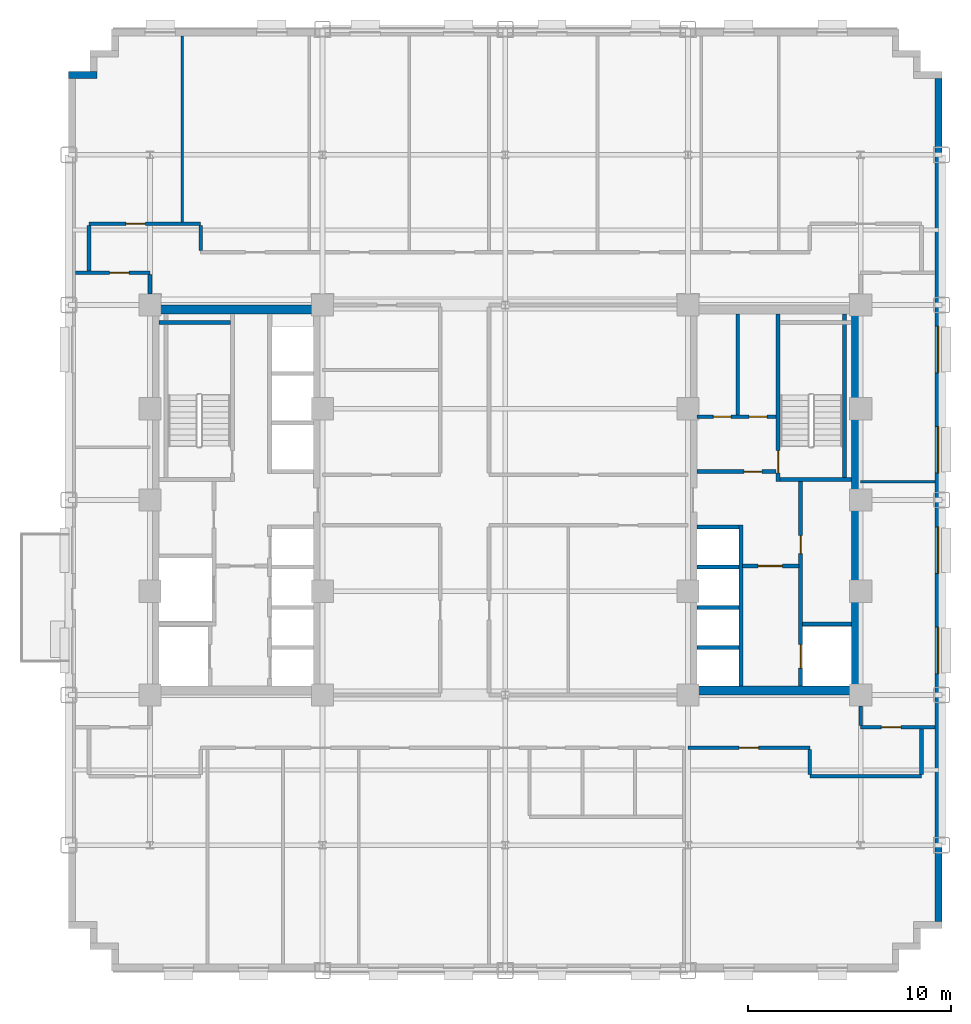
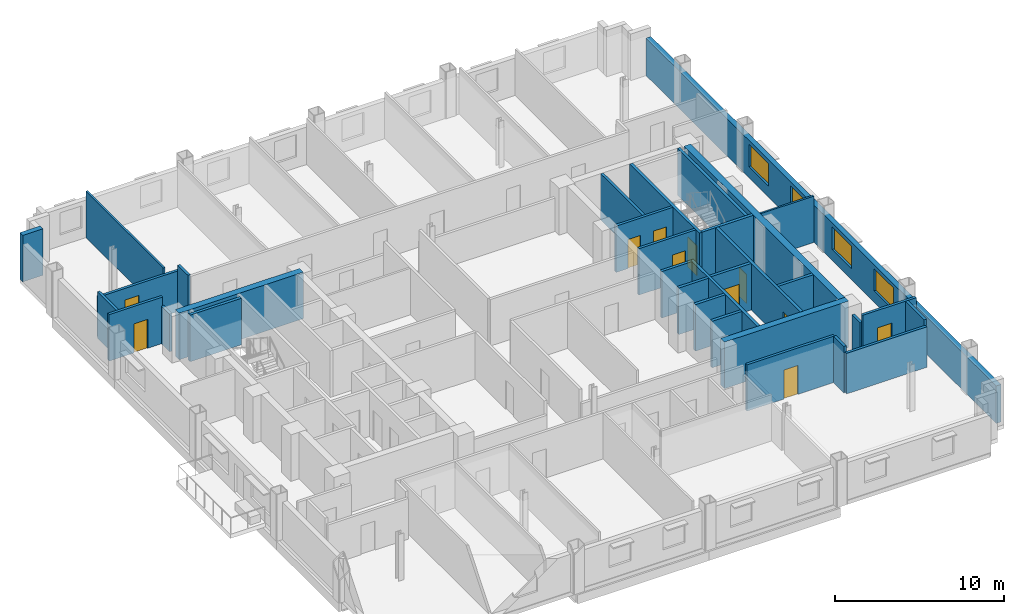
# One storey, part 8 of 14: 33 walls, 11 doors, 4 windows, 15 openings.
"""IFC4 building model written with IfcOpenShell, lengths in metres."""

from ifc_helpers import new_model, si_unit, direction, frame, frame_2d, origin, place, context, subcontext, project, spatial, rectangle, extrude, source, transform, mapped, material, layer, layer_set, type_object, type_shapes, element, fill, save


model = new_model("IFC4")

# Units and contexts
model_context = context("Model", 3, precision=1e-05, world=origin(), true_north=direction((0.0, 1.0)))
body_context = subcontext(model_context, "Body", "Model", "MODEL_VIEW")
ifc_project = project(units=[si_unit("LENGTHUNIT", "METRE"), si_unit("AREAUNIT", "SQUARE_METRE"), si_unit("VOLUMEUNIT", "CUBIC_METRE"), si_unit("PLANEANGLEUNIT", "RADIAN"), si_unit("MASSUNIT", "GRAM", prefix="KILO")], contexts=[model_context])

# Site, building, storey
site_placement = place(None, origin())
site = spatial("IfcSite", under=ifc_project, at=site_placement, CompositionType="ELEMENT")
building_placement = place(site_placement, origin())
building = spatial("IfcBuilding", under=site, at=building_placement, Name="Nuvemarco Arch Tower", CompositionType="ELEMENT")
storey_placement = place(building_placement, frame((0.0, 0.0, 60.449951171875)))
storey = spatial("IfcBuildingStorey", under=building, at=storey_placement, Name="L15", CompositionType="ELEMENT", Elevation=60.449951171875)

# Wall, openings, windows
ifc_material_1 = material(Name="Precast concrete C45/55", Category="concrete")
ifc_layer_1 = layer(ifc_material_1, 0.340087890625, Name="EW-LOW-340")
ifc_layer_set_1 = layer_set([ifc_layer_1], Name="Precast concrete C45/55")
wall_type_1 = type_object("IfcWallType", Name="EW-LOW-340", PredefinedType="STANDARD", material=ifc_layer_set_1)
wall_1_placement = place(storey_placement, frame((21.330078125, -20.763916015625, 0.0), z_axis=(0.0, 0.0, 1.0), x_axis=(0.0, 1.0, 0.0)))
wall_1 = element("IfcWall", 1, at=wall_1_placement, inside=storey, type_object=wall_type_1, Name="L15 exterior precast facade wall 6", PredefinedType="STANDARD", context=body_context, shape_type="SweptSolid", body=[
    extrude(rectangle(XDim=41.52783203125, YDim=0.340087890625, at=frame_2d((20.763916015625, 0.0))), origin(), (0.0, 0.0, 1.0), 2.705078125),
])
opening_1_placement = place(wall_1_placement, frame((12.202392578125, 0.0, 0.800048828125)))
opening_1 = element("IfcOpeningElement", 2, at=opening_1_placement, cuts=wall_1, Name="Opening WN-10", PredefinedType="OPENING", context=body_context, shape_type="SweptSolid", body=[
    extrude(rectangle(XDim=2.300048828125, YDim=1.6201171875, at=frame_2d((1.14990234375, 0.81005859375))), frame((0.0, 0.179931640625, 0.0), z_axis=(0.0, -1.0, 0.0), x_axis=(1.0, 0.0, 0.0)), (0.0, 0.0, 1.0), 0.360107421875),
])
opening_2_placement = place(wall_1_placement, frame((17.1435546875, 0.0, 0.800048828125)))
opening_2 = element("IfcOpeningElement", 3, at=opening_2_placement, cuts=wall_1, Name="Opening WN-10", PredefinedType="OPENING", context=body_context, shape_type="SweptSolid", body=[
    extrude(rectangle(XDim=2.300048828125, YDim=1.6201171875, at=frame_2d((1.14990234375, 0.81005859375))), frame((0.0, 0.179931640625, 0.0), z_axis=(0.0, -1.0, 0.0), x_axis=(1.0, 0.0, 0.0)), (0.0, 0.0, 1.0), 0.360107421875),
])
opening_3_placement = place(wall_1_placement, frame((22.08447265625, 0.0, 0.800048828125)))
opening_3 = element("IfcOpeningElement", 4, at=opening_3_placement, cuts=wall_1, Name="Opening WN-10", PredefinedType="OPENING", context=body_context, shape_type="SweptSolid", body=[
    extrude(rectangle(XDim=2.300048828125, YDim=1.6201171875, at=frame_2d((1.14990234375, 0.81005859375))), frame((0.0, 0.179931640625, 0.0), z_axis=(0.0, -1.0, 0.0), x_axis=(1.0, 0.0, 0.0)), (0.0, 0.0, 1.0), 0.360107421875),
])
opening_4_placement = place(wall_1_placement, frame((27.025390625, 0.0, 0.800048828125)))
opening_4 = element("IfcOpeningElement", 5, at=opening_4_placement, cuts=wall_1, Name="Opening WN-10", PredefinedType="OPENING", context=body_context, shape_type="SweptSolid", body=[
    extrude(rectangle(XDim=2.300048828125, YDim=1.6201171875, at=frame_2d((1.14990234375, 0.81005859375))), frame((0.0, 0.179931640625, 0.0), z_axis=(0.0, -1.0, 0.0), x_axis=(1.0, 0.0, 0.0)), (0.0, 0.0, 1.0), 0.360107421875),
])
ifc_material_2 = material(Name="Insulated solar-control glass", Category="glass")
window_type = type_object("IfcWindowType", Name="WN-STEP-2300x1700", PartitioningType="DOUBLE_PANEL_VERTICAL", PredefinedType="WINDOW", material=ifc_material_2)
shared_shape_1 = source(origin(), body_context, "Body", "SweptSolid", [
    extrude(rectangle(XDim=2.300048828125, YDim=1.6201171875, at=frame_2d((1.14990234375, 0.81005859375))), frame((0.0, 0.030029296875, 0.0), z_axis=(0.0, -1.0, 0.0), x_axis=(1.0, 0.0, 0.0)), (0.0, 0.0, 1.0), 0.06005859375),
])
type_shapes(window_type, [shared_shape_1])
window_1_placement = place(opening_1_placement, origin())
window_1 = element("IfcWindow", 6, at=window_1_placement, inside=storey, type_object=window_type, Name="L15 punched facade window 3", OverallHeight=1.6201171875, OverallWidth=2.300048828125, PartitioningType="SINGLE_PANEL", PredefinedType="WINDOW", context=body_context, shape_type="MappedRepresentation", body=[
    mapped(shared_shape_1, transform((0.0, 0.0, 0.0), scale=1.0)),
])
fill(opening_1, window_1)
window_2_placement = place(opening_2_placement, origin())
window_2 = element("IfcWindow", 7, at=window_2_placement, inside=storey, type_object=window_type, Name="L15 punched facade window 4", OverallHeight=1.6201171875, OverallWidth=2.300048828125, PartitioningType="SINGLE_PANEL", PredefinedType="WINDOW", context=body_context, shape_type="MappedRepresentation", body=[
    mapped(shared_shape_1, transform((0.0, 0.0, 0.0), scale=1.0)),
])
fill(opening_2, window_2)
window_3_placement = place(opening_3_placement, origin())
window_3 = element("IfcWindow", 8, at=window_3_placement, inside=storey, type_object=window_type, Name="L15 punched facade window 5", OverallHeight=1.6201171875, OverallWidth=2.300048828125, PartitioningType="SINGLE_PANEL", PredefinedType="WINDOW", context=body_context, shape_type="MappedRepresentation", body=[
    mapped(shared_shape_1, transform((0.0, 0.0, 0.0), scale=1.0)),
])
fill(opening_3, window_3)
window_4_placement = place(opening_4_placement, origin())
window_4 = element("IfcWindow", 9, at=window_4_placement, inside=storey, type_object=window_type, Name="L15 punched facade window 6", OverallHeight=1.6201171875, OverallWidth=2.300048828125, PartitioningType="SINGLE_PANEL", PredefinedType="WINDOW", context=body_context, shape_type="MappedRepresentation", body=[
    mapped(shared_shape_1, transform((0.0, 0.0, 0.0), scale=1.0)),
])
fill(opening_4, window_4)

# Walls
wall_2_placement = place(storey_placement, frame((-21.5, 20.929931640625, 0.0), z_axis=(0.0, 0.0, 1.0), x_axis=(1.0, 0.0, 0.0)))
element("IfcWall", 10, at=wall_2_placement, inside=storey, type_object=wall_type_1, Name="L15 exterior precast facade wall 15", PredefinedType="STANDARD", context=body_context, shape_type="SweptSolid", body=[
    extrude(rectangle(XDim=1.389892578125, YDim=0.340087890625, at=frame_2d((0.69482421875, 0.0))), origin(), (0.0, 0.0, 1.0), 3.360107421875),
])
ifc_material_3 = material(Name="Concrete C60/75", Category="concrete")
ifc_layer_2 = layer(ifc_material_3, 0.449951171875, Name="WL-CORE-450")
ifc_layer_set_2 = layer_set([ifc_layer_2], Name="Concrete C60/75")
wall_type_2 = type_object("IfcWallType", Name="WL-CORE-450", PredefinedType="SHEAR", material=ifc_layer_set_2)
for number, where, z_axis, x_axis, name in (
    (11, (-17.5, 9.375, 0.0), (0.0, 0.0, 1.0), (1.0, 0.0, 0.0), "L15 W-core shear wall N"),
    (12, (9.0, -9.375, 0.0), (0.0, 0.0, 1.0), (1.0, 0.0, 0.0), "L15 E-core shear wall S"),
):
    element("IfcWall", number, at=place(storey_placement, frame(where, z_axis=z_axis, x_axis=x_axis)), inside=storey, type_object=wall_type_2, Name=name, PredefinedType="SHEAR", context=body_context, shape_type="SweptSolid", body=[
        extrude(rectangle(XDim=8.5, YDim=0.449951171875, at=frame_2d((4.25, 0.0))), origin(), (0.0, 0.0, 1.0), 3.3701171875),
    ])
wall_3_placement = place(storey_placement, frame((17.27490234375, -9.155029296875, 0.0), z_axis=(0.0, 0.0, 1.0), x_axis=(0.0, 1.0, 0.0)))
element("IfcWall", 13, at=wall_3_placement, inside=storey, type_object=wall_type_2, Name="L15 E-core shear wall E", PredefinedType="SHEAR", context=body_context, shape_type="SweptSolid", body=[
    extrude(rectangle(XDim=18.31005859375, YDim=0.449951171875, at=frame_2d((9.155029296875, 0.0))), origin(), (0.0, 0.0, 1.0), 3.3701171875),
])

# Wall, opening, door
ifc_material_4 = material(Name="Fire-rated gypsum drywall partition")
ifc_layer_3 = layer(ifc_material_4, 0.179931640625, Name="WL-CORR-180")
ifc_layer_set_3 = layer_set([ifc_layer_3], Name="Fire-rated gypsum drywall partition")
wall_type_3 = type_object("IfcWallType", Name="WL-CORR-180", PredefinedType="PARTITIONING", material=ifc_layer_set_3)
wall_4_placement = place(storey_placement, frame((9.445068359375, 1.39990234375, 0.0), z_axis=(0.0, 0.0, 1.0), x_axis=(1.0, 0.0, 0.0)))
wall_4 = element("IfcWall", 14, at=wall_4_placement, inside=storey, type_object=wall_type_3, Name="L15 interior wall IW-L15-EK-S", PredefinedType="PARTITIONING", context=body_context, shape_type="SweptSolid", body=[
    extrude(rectangle(XDim=3.89990234375, YDim=0.179931640625, at=frame_2d((1.949951171875, 0.0))), origin(), (0.0, 0.0, 1.0), 3.360107421875),
])
opening_5_placement = place(wall_4_placement, frame((2.31494140625, 0.0, 0.0)))
opening_5 = element("IfcOpeningElement", 15, at=opening_5_placement, cuts=wall_4, Name="Opening FD-4", PredefinedType="OPENING", context=body_context, shape_type="SweptSolid", body=[
    extrude(rectangle(XDim=0.8798828125, YDim=2.10009765625, at=frame_2d((0.43994140625, 1.050048828125))), frame((0.0, 0.099853515625, 0.0), z_axis=(0.0, -1.0, 0.0), x_axis=(1.0, 0.0, 0.0)), (0.0, 0.0, 1.0), 0.199951171875),
])
ifc_material_5 = material(Name="Anodised steel fire door", Category="steel")
door_type_1 = type_object("IfcDoorType", Name="DR-RISER-FD", OperationType="NOTDEFINED", PredefinedType="DOOR", material=ifc_material_5)
shared_shape_2 = source(origin(), body_context, "Body", "SweptSolid", [
    extrude(rectangle(XDim=0.8798828125, YDim=2.10009765625, at=frame_2d((0.43994140625, 1.050048828125))), frame((0.0, 0.02490234375, 0.0), z_axis=(0.0, -1.0, 0.0), x_axis=(1.0, 0.0, 0.0)), (0.0, 0.0, 1.0), 0.050048828125),
])
type_shapes(door_type_1, [shared_shape_2])
door_1_placement = place(opening_5_placement, origin())
door_1 = element("IfcDoor", 16, at=door_1_placement, inside=storey, type_object=door_type_1, Name="L15 door FD-L15-EK3A", OperationType="SINGLE_SWING_LEFT", OverallHeight=2.10009765625, OverallWidth=0.8798828125, PredefinedType="DOOR", context=body_context, shape_type="MappedRepresentation", body=[
    mapped(shared_shape_2, transform((0.0, 0.0, 0.0), scale=1.0)),
])
fill(opening_5, door_1)

# Wall, openings, doors
wall_5_placement = place(storey_placement, frame((9.445068359375, 4.10009765625, 0.0), z_axis=(0.0, 0.0, 1.0), x_axis=(1.0, 0.0, 0.0)))
wall_5 = element("IfcWall", 17, at=wall_5_placement, inside=storey, type_object=wall_type_3, Name="L15 interior wall IW-L15-EK3H", PredefinedType="PARTITIONING", context=body_context, shape_type="SweptSolid", body=[
    extrude(rectangle(XDim=3.89990234375, YDim=0.179931640625, at=frame_2d((1.949951171875, 0.0))), origin(), (0.0, 0.0, 1.0), 3.360107421875),
])
opening_6_placement = place(wall_5_placement, frame((0.800048828125, 0.0, 0.0)))
opening_6 = element("IfcOpeningElement", 18, at=opening_6_placement, cuts=wall_5, Name="Opening FD-4", PredefinedType="OPENING", context=body_context, shape_type="SweptSolid", body=[
    extrude(rectangle(XDim=0.8798828125, YDim=2.10009765625, at=frame_2d((0.43994140625, 1.050048828125))), frame((0.0, 0.099853515625, 0.0), z_axis=(0.0, -1.0, 0.0), x_axis=(1.0, 0.0, 0.0)), (0.0, 0.0, 1.0), 0.199951171875),
])
opening_7_placement = place(wall_5_placement, frame((2.56494140625, 0.0, 0.0)))
opening_7 = element("IfcOpeningElement", 19, at=opening_7_placement, cuts=wall_5, Name="Opening FD-4", PredefinedType="OPENING", context=body_context, shape_type="SweptSolid", body=[
    extrude(rectangle(XDim=0.8798828125, YDim=2.10009765625, at=frame_2d((0.43994140625, 1.050048828125))), frame((0.0, 0.099853515625, 0.0), z_axis=(0.0, -1.0, 0.0), x_axis=(1.0, 0.0, 0.0)), (0.0, 0.0, 1.0), 0.199951171875),
])
door_2_placement = place(opening_6_placement, origin())
door_2 = element("IfcDoor", 20, at=door_2_placement, inside=storey, type_object=door_type_1, Name="L15 door FD-L15-EK3B", OperationType="SINGLE_SWING_RIGHT", OverallHeight=2.10009765625, OverallWidth=0.8798828125, PredefinedType="DOOR", context=body_context, shape_type="MappedRepresentation", body=[
    mapped(shared_shape_2, transform((0.0, 0.0, 0.0), scale=1.0)),
])
fill(opening_6, door_2)
door_3_placement = place(opening_7_placement, origin())
door_3 = element("IfcDoor", 21, at=door_3_placement, inside=storey, type_object=door_type_1, Name="L15 door FD-L15-EK3C", OperationType="SINGLE_SWING_LEFT", OverallHeight=2.10009765625, OverallWidth=0.8798828125, PredefinedType="DOOR", context=body_context, shape_type="MappedRepresentation", body=[
    mapped(shared_shape_2, transform((0.0, 0.0, 0.0), scale=1.0)),
])
fill(opening_7, door_3)

# Walls
wall_6_placement = place(storey_placement, frame((11.449951171875, 4.18994140625, 0.0), z_axis=(0.0, 0.0, 1.0), x_axis=(0.0, 1.0, 0.0)))
element("IfcWall", 22, at=wall_6_placement, inside=storey, type_object=wall_type_3, Name="L15 interior wall IW-L15-EK3V", PredefinedType="PARTITIONING", context=body_context, shape_type="SweptSolid", body=[
    extrude(rectangle(XDim=4.965087890625, YDim=0.179931640625, at=frame_2d((2.482421875, 0.0))), origin(), (0.0, 0.0, 1.0), 3.360107421875),
])
wall_7_placement = place(storey_placement, frame((15.0, -13.60009765625, 0.0), z_axis=(0.0, 0.0, 1.0), x_axis=(1.0, 0.0, 0.0)))
element("IfcWall", 23, at=wall_7_placement, inside=storey, type_object=wall_type_3, Name="L15 interior wall IW-L15-003", PredefinedType="PARTITIONING", context=body_context, shape_type="SweptSolid", body=[
    extrude(rectangle(XDim=5.5, YDim=0.179931640625, at=frame_2d((2.75, 0.0))), origin(), (0.0, 0.0, 1.0), 2.942138671875),
])

# Wall, opening, door
wall_8_placement = place(storey_placement, frame((9.0, -12.199951171875, 0.0), z_axis=(0.0, 0.0, 1.0), x_axis=(1.0, 0.0, 0.0)))
wall_8 = element("IfcWall", 24, at=wall_8_placement, inside=storey, type_object=wall_type_3, Name="L15 interior wall IW-L15-005", PredefinedType="PARTITIONING", context=body_context, shape_type="SweptSolid", body=[
    extrude(rectangle(XDim=6.0, YDim=0.179931640625, at=frame_2d((3.0, 0.0))), origin(), (0.0, 0.0, 1.0), 3.360107421875),
])
opening_8_placement = place(wall_8_placement, frame((2.52001953125, 0.0, 0.0)))
opening_8 = element("IfcOpeningElement", 25, at=opening_8_placement, cuts=wall_8, Name="Opening FD-5", PredefinedType="OPENING", context=body_context, shape_type="SweptSolid", body=[
    extrude(rectangle(XDim=0.9599609375, YDim=2.10009765625, at=frame_2d((0.47998046875, 1.050048828125))), frame((0.0, 0.099853515625, 0.0), z_axis=(0.0, -1.0, 0.0), x_axis=(1.0, 0.0, 0.0)), (0.0, 0.0, 1.0), 0.199951171875),
])
ifc_material_6 = material(Name="Timber fire door", Category="wood")
door_type_2 = type_object("IfcDoorType", Name="DR-CORR-FD", OperationType="NOTDEFINED", PredefinedType="DOOR", material=ifc_material_6)
shared_shape_3 = source(origin(), body_context, "Body", "SweptSolid", [
    extrude(rectangle(XDim=0.9599609375, YDim=2.10009765625, at=frame_2d((0.47998046875, 1.050048828125))), frame((0.0, 0.02490234375, 0.0), z_axis=(0.0, -1.0, 0.0), x_axis=(1.0, 0.0, 0.0)), (0.0, 0.0, 1.0), 0.050048828125),
])
type_shapes(door_type_2, [shared_shape_3])
door_4_placement = place(opening_8_placement, origin())
door_4 = element("IfcDoor", 26, at=door_4_placement, inside=storey, type_object=door_type_2, Name="L15 door DR-L15-S_6", OperationType="SINGLE_SWING_LEFT", OverallHeight=2.10009765625, OverallWidth=0.9599609375, PredefinedType="DOOR", context=body_context, shape_type="MappedRepresentation", body=[
    mapped(shared_shape_3, transform((0.0, 0.0, 0.0), scale=1.0)),
])
fill(opening_8, door_4)

wall_9_placement = place(storey_placement, frame((17.5, -11.199951171875, 0.0), z_axis=(0.0, 0.0, 1.0), x_axis=(1.0, 0.0, 0.0)))
wall_9 = element("IfcWall", 27, at=wall_9_placement, inside=storey, type_object=wall_type_3, Name="L15 interior wall IW-L15-007", PredefinedType="PARTITIONING", context=body_context, shape_type="SweptSolid", body=[
    extrude(rectangle(XDim=3.659912109375, YDim=0.179931640625, at=frame_2d((1.830078125, 0.0))), origin(), (0.0, 0.0, 1.0), 3.360107421875),
])
opening_9_placement = place(wall_9_placement, frame((1.02001953125, 0.0, 0.0)))
opening_9 = element("IfcOpeningElement", 28, at=opening_9_placement, cuts=wall_9, Name="Opening FD-5", PredefinedType="OPENING", context=body_context, shape_type="SweptSolid", body=[
    extrude(rectangle(XDim=0.9599609375, YDim=2.10009765625, at=frame_2d((0.47998046875, 1.050048828125))), frame((0.0, 0.099853515625, 0.0), z_axis=(0.0, -1.0, 0.0), x_axis=(1.0, 0.0, 0.0)), (0.0, 0.0, 1.0), 0.199951171875),
])
door_5_placement = place(opening_9_placement, origin())
door_5 = element("IfcDoor", 29, at=door_5_placement, inside=storey, type_object=door_type_2, Name="L15 door DR-L15-E_1", OperationType="SINGLE_SWING_RIGHT", OverallHeight=2.10009765625, OverallWidth=0.9599609375, PredefinedType="DOOR", context=body_context, shape_type="MappedRepresentation", body=[
    mapped(shared_shape_3, transform((0.0, 0.0, 0.0), scale=1.0)),
])
fill(opening_9, door_5)

wall_10_placement = place(storey_placement, frame((-21.159912109375, 11.199951171875, 0.0), z_axis=(0.0, 0.0, 1.0), x_axis=(1.0, 0.0, 0.0)))
wall_10 = element("IfcWall", 30, at=wall_10_placement, inside=storey, type_object=wall_type_3, Name="L15 interior wall IW-L15-021", PredefinedType="PARTITIONING", context=body_context, shape_type="SweptSolid", body=[
    extrude(rectangle(XDim=3.659912109375, YDim=0.179931640625, at=frame_2d((1.830078125, 0.0))), origin(), (0.0, 0.0, 1.0), 3.360107421875),
])
opening_10_placement = place(wall_10_placement, frame((1.679931640625, 0.0, 0.0)))
opening_10 = element("IfcOpeningElement", 31, at=opening_10_placement, cuts=wall_10, Name="Opening FD-5", PredefinedType="OPENING", context=body_context, shape_type="SweptSolid", body=[
    extrude(rectangle(XDim=0.9599609375, YDim=2.10009765625, at=frame_2d((0.47998046875, 1.050048828125))), frame((0.0, 0.099853515625, 0.0), z_axis=(0.0, -1.0, 0.0), x_axis=(1.0, 0.0, 0.0)), (0.0, 0.0, 1.0), 0.199951171875),
])
door_6_placement = place(opening_10_placement, origin())
door_6 = element("IfcDoor", 32, at=door_6_placement, inside=storey, type_object=door_type_2, Name="L15 door DR-L15-W_2", OperationType="SINGLE_SWING_LEFT", OverallHeight=2.10009765625, OverallWidth=0.9599609375, PredefinedType="DOOR", context=body_context, shape_type="MappedRepresentation", body=[
    mapped(shared_shape_3, transform((0.0, 0.0, 0.0), scale=1.0)),
])
fill(opening_10, door_6)

wall_11_placement = place(storey_placement, frame((-20.5, 13.60009765625, 0.0), z_axis=(0.0, 0.0, 1.0), x_axis=(1.0, 0.0, 0.0)))
wall_11 = element("IfcWall", 33, at=wall_11_placement, inside=storey, type_object=wall_type_3, Name="L15 interior wall IW-L15-024", PredefinedType="PARTITIONING", context=body_context, shape_type="SweptSolid", body=[
    extrude(rectangle(XDim=5.5, YDim=0.179931640625, at=frame_2d((2.75, 0.0))), origin(), (0.0, 0.0, 1.0), 2.942138671875),
])
opening_11_placement = place(wall_11_placement, frame((1.81494140625, 0.0, 0.0)))
opening_11 = element("IfcOpeningElement", 34, at=opening_11_placement, cuts=wall_11, Name="Opening FD-5", PredefinedType="OPENING", context=body_context, shape_type="SweptSolid", body=[
    extrude(rectangle(XDim=0.9599609375, YDim=2.10009765625, at=frame_2d((0.47998046875, 1.050048828125))), frame((0.0, 0.099853515625, 0.0), z_axis=(0.0, -1.0, 0.0), x_axis=(1.0, 0.0, 0.0)), (0.0, 0.0, 1.0), 0.199951171875),
])
door_7_placement = place(opening_11_placement, origin())
door_7 = element("IfcDoor", 35, at=door_7_placement, inside=storey, type_object=door_type_2, Name="L15 door DR-L15-N_1", OperationType="SINGLE_SWING_LEFT", OverallHeight=2.10009765625, OverallWidth=0.9599609375, PredefinedType="DOOR", context=body_context, shape_type="MappedRepresentation", body=[
    mapped(shared_shape_3, transform((0.0, 0.0, 0.0), scale=1.0)),
])
fill(opening_11, door_7)

# Walls
wall_12_placement = place(storey_placement, frame((-20.5, 11.285888671875, 0.0), z_axis=(0.0, 0.0, 1.0), x_axis=(0.0, 1.0, 0.0)))
element("IfcWall", 36, at=wall_12_placement, inside=storey, type_object=wall_type_3, Name="L15 interior wall IW-L15-027", PredefinedType="PARTITIONING", context=body_context, shape_type="SweptSolid", body=[
    extrude(rectangle(XDim=2.22802734375, YDim=0.179931640625, at=frame_2d((1.114013671875, 0.0))), origin(), (0.0, 0.0, 1.0), 3.360107421875),
])
wall_13_placement = place(storey_placement, frame((-17.5, 10.14599609375, 0.0), z_axis=(0.0, 0.0, 1.0), x_axis=(0.0, 1.0, 0.0)))
element("IfcWall", 37, at=wall_13_placement, inside=storey, type_object=wall_type_3, Name="L15 interior wall IW-L15-029", PredefinedType="PARTITIONING", context=body_context, shape_type="SweptSolid", body=[
    extrude(rectangle(XDim=0.968017578125, YDim=0.179931640625, at=frame_2d((0.48388671875, 0.0))), origin(), (0.0, 0.0, 1.0), 2.738037109375),
])
for number, where, z_axis, x_axis, name in (
    (38, (-15.0, 12.285888671875, 0.0), (0.0, 0.0, 1.0), (0.0, 1.0, 0.0), "L15 interior wall IW-L15-032"),
    (39, (15.0, -13.513916015625, 0.0), (0.0, 0.0, 1.0), (0.0, 1.0, 0.0), "L15 interior wall IW-L15-053"),
):
    element("IfcWall", number, at=place(storey_placement, frame(where, z_axis=z_axis, x_axis=x_axis)), inside=storey, type_object=wall_type_3, Name=name, PredefinedType="PARTITIONING", context=body_context, shape_type="SweptSolid", body=[
        extrude(rectangle(XDim=1.22802734375, YDim=0.179931640625, at=frame_2d((0.614013671875, 0.0))), origin(), (0.0, 0.0, 1.0), 3.360107421875),
    ])
wall_14_placement = place(storey_placement, frame((17.5, -11.114013671875, 0.0), z_axis=(0.0, 0.0, 1.0), x_axis=(0.0, 1.0, 0.0)))
element("IfcWall", 40, at=wall_14_placement, inside=storey, type_object=wall_type_3, Name="L15 interior wall IW-L15-055", PredefinedType="PARTITIONING", context=body_context, shape_type="SweptSolid", body=[
    extrude(rectangle(XDim=0.968017578125, YDim=0.179931640625, at=frame_2d((0.48388671875, 0.0))), origin(), (0.0, 0.0, 1.0), 2.738037109375),
])
wall_15_placement = place(storey_placement, frame((20.5, -13.513916015625, 0.0), z_axis=(0.0, 0.0, 1.0), x_axis=(0.0, 1.0, 0.0)))
element("IfcWall", 41, at=wall_15_placement, inside=storey, type_object=wall_type_3, Name="L15 interior wall IW-L15-057", PredefinedType="PARTITIONING", context=body_context, shape_type="SweptSolid", body=[
    extrude(rectangle(XDim=2.22802734375, YDim=0.179931640625, at=frame_2d((1.114013671875, 0.0))), origin(), (0.0, 0.0, 1.0), 3.360107421875),
])
ifc_material_7 = material(Name="Glazed acoustic office partition")
ifc_layer_4 = layer(ifc_material_7, 0.1298828125, Name="WL-EXEC-130")
ifc_layer_set_4 = layer_set([ifc_layer_4], Name="Glazed acoustic office partition")
wall_type_4 = type_object("IfcWallType", Name="WL-EXEC-130", PredefinedType="PARTITIONING", material=ifc_layer_set_4)
wall_16_placement = place(storey_placement, frame((17.5, 0.89990234375, 0.0), z_axis=(0.0, 0.0, 1.0), x_axis=(1.0, 0.0, 0.0)))
element("IfcWall", 42, at=wall_16_placement, inside=storey, type_object=wall_type_4, Name="L15 interior wall IW-L15-013", PredefinedType="PARTITIONING", context=body_context, shape_type="SweptSolid", body=[
    extrude(rectangle(XDim=3.659912109375, YDim=0.1298828125, at=frame_2d((1.830078125, 0.0))), origin(), (0.0, 0.0, 1.0), 3.360107421875),
])
wall_17_placement = place(storey_placement, frame((-15.909912109375, 13.68603515625, 0.0), z_axis=(0.0, 0.0, 1.0), x_axis=(0.0, 1.0, 0.0)))
element("IfcWall", 43, at=wall_17_placement, inside=storey, type_object=wall_type_4, Name="L15 interior wall IW-L15-030", PredefinedType="PARTITIONING", context=body_context, shape_type="SweptSolid", body=[
    extrude(rectangle(XDim=9.174072265625, YDim=0.1298828125, at=frame_2d((4.5869140625, 0.0))), origin(), (0.0, 0.0, 1.0), 3.360107421875),
])
ifc_material_8 = material(Name="Concrete C50/60", Category="concrete")
ifc_layer_5 = layer(ifc_material_8, 0.199951171875, Name="WL-SHAFT-220")
ifc_layer_set_5 = layer_set([ifc_layer_5], Name="Concrete C50/60")
wall_type_5 = type_object("IfcWallType", Name="WL-SHAFT-220", PredefinedType="SHEAR", material=ifc_layer_set_5)
wall_18_placement = place(storey_placement, frame((-17.054931640625, 8.75, 0.0), z_axis=(0.0, 0.0, 1.0), x_axis=(1.0, 0.0, 0.0)))
element("IfcWall", 44, at=wall_18_placement, inside=storey, type_object=wall_type_5, Name="L15 structural shaft wall SW-L15-W-ST1N", PredefinedType="SHEAR", context=body_context, shape_type="SweptSolid", body=[
    extrude(rectangle(XDim=3.52001953125, YDim=0.199951171875, at=frame_2d((1.760009765625, 0.0))), origin(), (0.0, 0.0, 1.0), 3.3701171875),
])

# Wall, opening, door
wall_19_placement = place(storey_placement, frame((13.43994140625, 0.89990234375, 0.0), z_axis=(0.0, 0.0, 1.0), x_axis=(0.0, 1.0, 0.0)))
wall_19 = element("IfcWall", 45, at=wall_19_placement, inside=storey, type_object=wall_type_5, Name="L15 structural shaft wall SW-L15-E-ST2W", PredefinedType="SHEAR", context=body_context, shape_type="SweptSolid", body=[
    extrude(rectangle(XDim=8.255126953125, YDim=0.199951171875, at=frame_2d((4.12744140625, 0.0))), origin(), (0.0, 0.0, 1.0), 3.3701171875),
])
opening_12_placement = place(wall_19_placement, frame((0.429931640625, 0.0, 0.0)))
opening_12 = element("IfcOpeningElement", 46, at=opening_12_placement, cuts=wall_19, Name="Opening FD-1", PredefinedType="OPENING", context=body_context, shape_type="SweptSolid", body=[
    extrude(rectangle(XDim=1.10009765625, YDim=2.14990234375, at=frame_2d((0.550048828125, 1.074951171875))), frame((0.0, 0.10986328125, 0.0), z_axis=(0.0, -1.0, 0.0), x_axis=(1.0, 0.0, 0.0)), (0.0, 0.0, 1.0), 0.219970703125),
])
door_type_3 = type_object("IfcDoorType", Name="DR-STAIR-FD", OperationType="NOTDEFINED", PredefinedType="DOOR", material=ifc_material_5)
shared_shape_4 = source(origin(), body_context, "Body", "SweptSolid", [
    extrude(rectangle(XDim=1.10009765625, YDim=2.14990234375, at=frame_2d((0.550048828125, 1.074951171875))), frame((0.0, 0.02490234375, 0.0), z_axis=(0.0, -1.0, 0.0), x_axis=(1.0, 0.0, 0.0)), (0.0, 0.0, 1.0), 0.050048828125),
])
type_shapes(door_type_3, [shared_shape_4])
door_8_placement = place(opening_12_placement, origin())
door_8 = element("IfcDoor", 47, at=door_8_placement, inside=storey, type_object=door_type_3, Name="L15 door FD-L15-ST2", OperationType="SINGLE_SWING_RIGHT", OverallHeight=2.14990234375, OverallWidth=1.10009765625, PredefinedType="DOOR", context=body_context, shape_type="MappedRepresentation", body=[
    mapped(shared_shape_4, transform((0.0, 0.0, 0.0), scale=1.0)),
])
fill(opening_12, door_8)

# Walls
wall_20_placement = place(storey_placement, frame((13.534912109375, 1.0, 0.0), z_axis=(0.0, 0.0, 1.0), x_axis=(1.0, 0.0, 0.0)))
element("IfcWall", 48, at=wall_20_placement, inside=storey, type_object=wall_type_5, Name="L15 structural shaft wall SW-L15-E-ST2S", PredefinedType="SHEAR", context=body_context, shape_type="SweptSolid", body=[
    extrude(rectangle(XDim=3.52001953125, YDim=0.199951171875, at=frame_2d((1.760009765625, 0.0))), origin(), (0.0, 0.0, 1.0), 3.3701171875),
])
wall_21_placement = place(storey_placement, frame((16.699951171875, 1.094970703125, 0.0), z_axis=(0.0, 0.0, 1.0), x_axis=(0.0, 1.0, 0.0)))
element("IfcWall", 49, at=wall_21_placement, inside=storey, type_object=wall_type_5, Name="L15 structural shaft wall SW-L15-E-ST2E", PredefinedType="SHEAR", context=body_context, shape_type="SweptSolid", body=[
    extrude(rectangle(XDim=8.06005859375, YDim=0.199951171875, at=frame_2d((4.030029296875, 0.0))), origin(), (0.0, 0.0, 1.0), 3.3701171875),
])

# Wall, openings, doors
wall_22_placement = place(storey_placement, frame((14.550048828125, -9.155029296875, 0.0), z_axis=(0.0, 0.0, 1.0), x_axis=(0.0, 1.0, 0.0)))
wall_22 = element("IfcWall", 50, at=wall_22_placement, inside=storey, type_object=wall_type_5, Name="L15 structural shaft wall SW-L15-E-SHW", PredefinedType="SHEAR", context=body_context, shape_type="SweptSolid", body=[
    extrude(rectangle(XDim=10.06005859375, YDim=0.199951171875, at=frame_2d((5.030029296875, 0.0))), origin(), (0.0, 0.0, 1.0), 3.3701171875),
])
opening_13_placement = place(wall_22_placement, frame((6.514892578125, 0.0, 0.0)))
opening_13 = element("IfcOpeningElement", 51, at=opening_13_placement, cuts=wall_22, Name="Opening FD-4", PredefinedType="OPENING", context=body_context, shape_type="SweptSolid", body=[
    extrude(rectangle(XDim=0.8798828125, YDim=2.10009765625, at=frame_2d((0.43994140625, 1.050048828125))), frame((0.0, 0.10986328125, 0.0), z_axis=(0.0, -1.0, 0.0), x_axis=(1.0, 0.0, 0.0)), (0.0, 0.0, 1.0), 0.219970703125),
])
opening_14_placement = place(wall_22_placement, frame((0.8798828125, 0.0, 0.0)))
opening_14 = element("IfcOpeningElement", 52, at=opening_14_placement, cuts=wall_22, Name="Opening LD-2", PredefinedType="OPENING", context=body_context, shape_type="SweptSolid", body=[
    extrude(rectangle(XDim=1.14990234375, YDim=2.14990234375, at=frame_2d((0.574951171875, 1.074951171875))), frame((0.0, 0.10986328125, 0.0), z_axis=(0.0, -1.0, 0.0), x_axis=(1.0, 0.0, 0.0)), (0.0, 0.0, 1.0), 0.219970703125),
])
door_9_placement = place(opening_13_placement, origin())
door_9 = element("IfcDoor", 53, at=door_9_placement, inside=storey, type_object=door_type_1, Name="L15 door FD-L15-ERIS", OperationType="SINGLE_SWING_RIGHT", OverallHeight=2.10009765625, OverallWidth=0.8798828125, PredefinedType="DOOR", context=body_context, shape_type="MappedRepresentation", body=[
    mapped(shared_shape_2, transform((0.0, 0.0, 0.0), scale=1.0)),
])
fill(opening_13, door_9)
ifc_material_9 = material(Name="Stainless steel lift door", Category="steel")
door_type_4 = type_object("IfcDoorType", Name="DR-LIFT-FIRE", OperationType="DOUBLE_DOOR_SLIDING", PredefinedType="DOOR", material=ifc_material_9)
shared_shape_5 = source(origin(), body_context, "Body", "SweptSolid", [
    extrude(rectangle(XDim=1.14990234375, YDim=2.14990234375, at=frame_2d((0.574951171875, 1.074951171875))), frame((0.0, 0.02490234375, 0.0), z_axis=(0.0, -1.0, 0.0), x_axis=(1.0, 0.0, 0.0)), (0.0, 0.0, 1.0), 0.050048828125),
])
type_shapes(door_type_4, [shared_shape_5])
door_10_placement = place(opening_14_placement, origin())
door_10 = element("IfcDoor", 54, at=door_10_placement, inside=storey, type_object=door_type_4, Name="L15 Lift landing sliding door FFL-2", OperationType="DOUBLE_DOOR_SLIDING", OverallHeight=2.14990234375, OverallWidth=1.14990234375, PredefinedType="DOOR", context=body_context, shape_type="MappedRepresentation", body=[
    mapped(shared_shape_5, transform((0.0, 0.0, 0.0), scale=1.0)),
])
fill(opening_14, door_10)

# Walls
wall_23_placement = place(storey_placement, frame((14.64501953125, -6.10009765625, 0.0), z_axis=(0.0, 0.0, 1.0), x_axis=(1.0, 0.0, 0.0)))
element("IfcWall", 55, at=wall_23_placement, inside=storey, type_object=wall_type_5, Name="L15 structural shaft wall SW-L15-E-SH1", PredefinedType="SHEAR", context=body_context, shape_type="SweptSolid", body=[
    extrude(rectangle(XDim=2.409912109375, YDim=0.199951171875, at=frame_2d((1.205078125, 0.0))), origin(), (0.0, 0.0, 1.0), 3.3701171875),
])
wall_24_placement = place(storey_placement, frame((11.60009765625, -9.155029296875, 0.0), z_axis=(0.0, 0.0, 1.0), x_axis=(0.0, 1.0, 0.0)))
element("IfcWall", 56, at=wall_24_placement, inside=storey, type_object=wall_type_5, Name="L15 structural shaft wall SW-L15-E-PME", PredefinedType="SHEAR", context=body_context, shape_type="SweptSolid", body=[
    extrude(rectangle(XDim=7.925048828125, YDim=0.199951171875, at=frame_2d((3.96240234375, 0.0))), origin(), (0.0, 0.0, 1.0), 3.3701171875),
])

# Wall, opening, door
wall_25_placement = place(storey_placement, frame((11.695068359375, -3.25, 0.0), z_axis=(0.0, 0.0, 1.0), x_axis=(1.0, 0.0, 0.0)))
wall_25 = element("IfcWall", 57, at=wall_25_placement, inside=storey, type_object=wall_type_5, Name="L15 structural shaft wall SW-L15-E-FFN", PredefinedType="SHEAR", context=body_context, shape_type="SweptSolid", body=[
    extrude(rectangle(XDim=2.760009765625, YDim=0.199951171875, at=frame_2d((1.3798828125, 0.0))), origin(), (0.0, 0.0, 1.0), 3.3701171875),
])
opening_15_placement = place(wall_25_placement, frame((0.7548828125, 0.0, 0.0)))
opening_15 = element("IfcOpeningElement", 58, at=opening_15_placement, cuts=wall_25, Name="Opening FD-2", PredefinedType="OPENING", context=body_context, shape_type="SweptSolid", body=[
    extrude(rectangle(XDim=1.199951171875, YDim=2.14990234375, at=frame_2d((0.60009765625, 1.074951171875))), frame((0.0, 0.10986328125, 0.0), z_axis=(0.0, -1.0, 0.0), x_axis=(1.0, 0.0, 0.0)), (0.0, 0.0, 1.0), 0.219970703125),
])
door_type_5 = type_object("IfcDoorType", Name="DR-FFLOB-FD", OperationType="NOTDEFINED", PredefinedType="DOOR", material=ifc_material_5)
shared_shape_6 = source(origin(), body_context, "Body", "SweptSolid", [
    extrude(rectangle(XDim=1.199951171875, YDim=2.14990234375, at=frame_2d((0.60009765625, 1.074951171875))), frame((0.0, 0.02490234375, 0.0), z_axis=(0.0, -1.0, 0.0), x_axis=(1.0, 0.0, 0.0)), (0.0, 0.0, 1.0), 0.050048828125),
])
type_shapes(door_type_5, [shared_shape_6])
door_11_placement = place(opening_15_placement, origin())
door_11 = element("IfcDoor", 59, at=door_11_placement, inside=storey, type_object=door_type_5, Name="L15 door FD-L15-EFF2", OperationType="SINGLE_SWING_RIGHT", OverallHeight=2.14990234375, OverallWidth=1.199951171875, PredefinedType="DOOR", context=body_context, shape_type="MappedRepresentation", body=[
    mapped(shared_shape_6, transform((0.0, 0.0, 0.0), scale=1.0)),
])
fill(opening_15, door_11)

# Walls
for number, where, z_axis, x_axis, name in (
    (60, (9.445068359375, -7.27001953125, 0.0), (0.0, 0.0, 1.0), (1.0, 0.0, 0.0), "L15 structural shaft wall SW-L15-E-PMD1"),
    (61, (9.445068359375, -5.2900390625, 0.0), (0.0, 0.0, 1.0), (1.0, 0.0, 0.0), "L15 structural shaft wall SW-L15-E-PMD2"),
    (62, (9.445068359375, -3.31005859375, 0.0), (0.0, 0.0, 1.0), (1.0, 0.0, 0.0), "L15 structural shaft wall SW-L15-E-PMD3"),
    (63, (9.445068359375, -1.330078125, 0.0), (0.0, 0.0, 1.0), (1.0, 0.0, 0.0), "L15 structural shaft wall SW-L15-E-PMD4"),
):
    element("IfcWall", number, at=place(storey_placement, frame(where, z_axis=z_axis, x_axis=x_axis)), inside=storey, type_object=wall_type_5, Name=name, PredefinedType="SHEAR", context=body_context, shape_type="SweptSolid", body=[
        extrude(rectangle(XDim=2.059814453125, YDim=0.199951171875, at=frame_2d((1.02978515625, 0.0))), origin(), (0.0, 0.0, 1.0), 3.3701171875),
    ])

save(model, "model.ifc")
